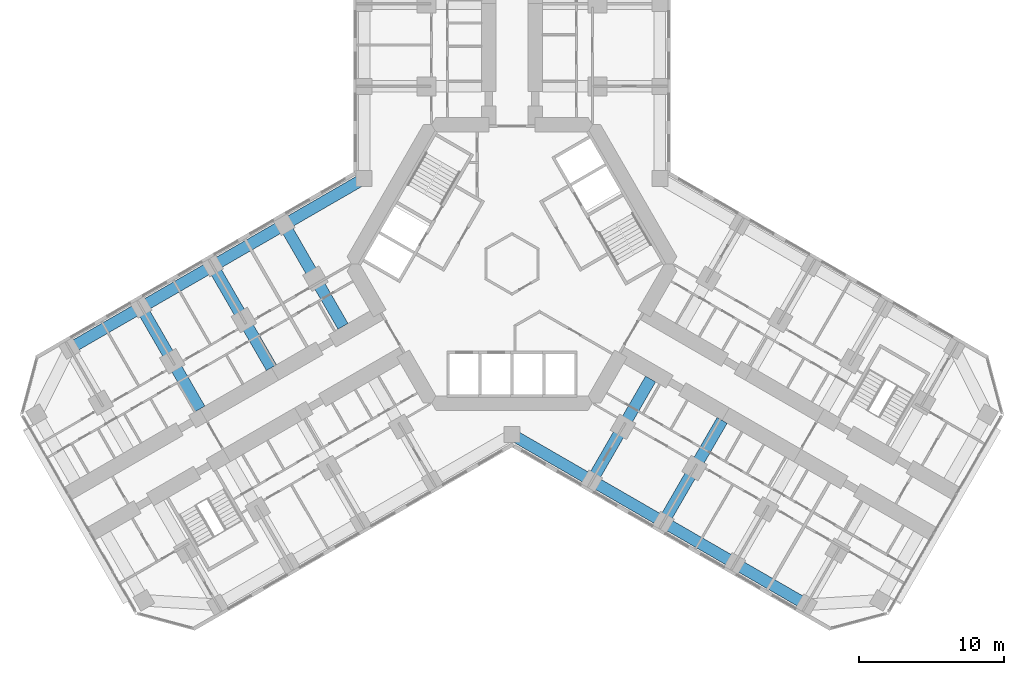
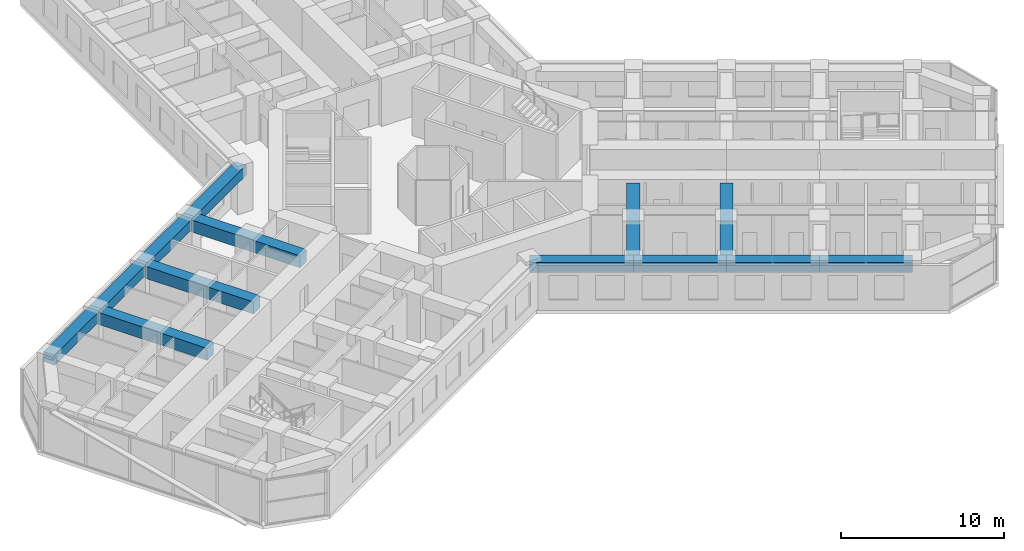
# One storey, part 4 of 21: 13 beams.
"""IFC4 building model written with IfcOpenShell, lengths in metres."""

from ifc_helpers import new_model, si_unit, direction, frame, origin, origin_2d, place, context, subcontext, project, spatial, rectangle, extrude, material, material_profile, profile_set, type_object, element, save


model = new_model("IFC4")

# Units and contexts
model_context = context("Model", 3, precision=1e-05, world=origin(), true_north=direction((0.0, 1.0)))
body_context = subcontext(model_context, "Body", "Model", "MODEL_VIEW")
ifc_project = project(units=[si_unit("LENGTHUNIT", "METRE"), si_unit("AREAUNIT", "SQUARE_METRE"), si_unit("VOLUMEUNIT", "CUBIC_METRE"), si_unit("PLANEANGLEUNIT", "RADIAN"), si_unit("MASSUNIT", "GRAM", prefix="KILO")], contexts=[model_context])

# Site, building, storey
site_placement = place(None, origin())
site = spatial("IfcSite", under=ifc_project, at=site_placement, CompositionType="ELEMENT")
building_placement = place(site_placement, origin())
building = spatial("IfcBuilding", under=site, at=building_placement, Name="Kosmar Iwan School Tower", CompositionType="ELEMENT")
storey_placement = place(building_placement, frame((0.0, 0.0, 43.0)))
storey = spatial("IfcBuildingStorey", under=building, at=storey_placement, Name="L09", CompositionType="ELEMENT", Elevation=43.0)

# Beams
ifc_material_1 = material(Name="Concrete C50/60", Category="concrete")
ifc_material_profile_1 = material_profile(ifc_material_1, rectangle(XDim=0.800048828125, YDim=0.75, at=origin_2d()), Name="RC 800x750")
ifc_profile_set_1 = profile_set([ifc_material_profile_1], Name="Concrete C50/60")
beam_type_1 = type_object("IfcBeamType", Name="RC edge beam 800x750", PredefinedType="BEAM", material=ifc_profile_set_1)
beam_1_placement = place(storey_placement, frame((-10.199951171875, 5.888916015625, 2.97509765625), z_axis=(-0.866030912664, -0.49999045822, 0.0), x_axis=(0.49999045822, -0.866030912664, 0.0)))
element("IfcBeam", 1, at=beam_1_placement, inside=storey, type_object=beam_type_1, Name="Edge beam BR1", PredefinedType="BEAM", context=body_context, shape_type="SweptSolid", body=[
    extrude(rectangle(XDim=0.800048828125, YDim=0.75, at=origin_2d()), origin(), (0.0, 0.0, 1.0), 6.36083984375),
])
beam_2_placement = place(storey_placement, frame((-15.708740234375, 2.70849609375, 2.97509765625), z_axis=(-0.866025820012, -0.499999279071, 0.0), x_axis=(0.499999279071, -0.866025820012, 0.0)))
element("IfcBeam", 2, at=beam_2_placement, inside=storey, type_object=beam_type_1, Name="Edge beam BR2", PredefinedType="BEAM", context=body_context, shape_type="SweptSolid", body=[
    extrude(rectangle(XDim=0.800048828125, YDim=0.75, at=origin_2d()), origin(), (0.0, 0.0, 1.0), 5.7001953125),
])
for number, where, z_axis, x_axis, name in (
    (3, (-20.645263671875, -0.1416015625, 2.97509765625), (-0.866033658841, -0.49998570155, 0.0), (0.49998570155, -0.866033658841, 0.0), "Edge beam BR3"),
    (4, (-25.58154296875, -2.991455078125, 2.97509765625), (-0.866015111908, -0.50001782563, 0.0), (0.50001782563, -0.866015111908, 0.0), "Edge beam BR4"),
):
    element("IfcBeam", number, at=place(storey_placement, frame(where, z_axis=z_axis, x_axis=x_axis)), inside=storey, type_object=beam_type_1, Name=name, PredefinedType="BEAM", context=body_context, shape_type="SweptSolid", body=[
        extrude(rectangle(XDim=0.800048828125, YDim=0.75, at=origin_2d()), origin(), (0.0, 0.0, 1.0), 5.699951171875),
    ])
beam_3_placement = place(storey_placement, frame((0.0, -11.77783203125, 2.97509765625), z_axis=(0.866014293216, -0.500019243575, 0.0), x_axis=(0.500019243575, 0.866014293216, 0.0)))
element("IfcBeam", 5, at=beam_3_placement, inside=storey, type_object=beam_type_1, Name="Edge beam CR1", PredefinedType="BEAM", context=body_context, shape_type="SweptSolid", body=[
    extrude(rectangle(XDim=0.800048828125, YDim=0.75, at=origin_2d()), origin(), (0.0, 0.0, 1.0), 6.361083984375),
])
beam_4_placement = place(storey_placement, frame((5.5087890625, -14.95849609375, 2.97509765625), z_axis=(0.866033658841, -0.49998570155, 0.0), x_axis=(0.49998570155, 0.866033658841, 0.0)))
element("IfcBeam", 6, at=beam_4_placement, inside=storey, type_object=beam_type_1, Name="Edge beam CR2", PredefinedType="BEAM", context=body_context, shape_type="SweptSolid", body=[
    extrude(rectangle(XDim=0.800048828125, YDim=0.75, at=origin_2d()), origin(), (0.0, 0.0, 1.0), 5.699951171875),
])
beam_5_placement = place(storey_placement, frame((10.445068359375, -17.808349609375, 2.97509765625), z_axis=(0.866025820012, -0.499999279071, 0.0), x_axis=(0.499999279071, 0.866025820012, 0.0)))
element("IfcBeam", 7, at=beam_5_placement, inside=storey, type_object=beam_type_1, Name="Edge beam CR3", PredefinedType="BEAM", context=body_context, shape_type="SweptSolid", body=[
    extrude(rectangle(XDim=0.800048828125, YDim=0.75, at=origin_2d()), origin(), (0.0, 0.0, 1.0), 5.7001953125),
])
beam_6_placement = place(storey_placement, frame((15.381591796875, -20.658447265625, 2.97509765625), z_axis=(0.866015111908, -0.50001782563, 0.0), x_axis=(0.50001782563, 0.866015111908, 0.0)))
element("IfcBeam", 8, at=beam_6_placement, inside=storey, type_object=beam_type_1, Name="Edge beam CR4", PredefinedType="BEAM", context=body_context, shape_type="SweptSolid", body=[
    extrude(rectangle(XDim=0.800048828125, YDim=0.75, at=origin_2d()), origin(), (0.0, 0.0, 1.0), 5.699951171875),
])
ifc_material_2 = material(Name="Concrete C50/60", Category="concrete")
ifc_material_profile_2 = material_profile(ifc_material_2, rectangle(XDim=0.800048828125, YDim=0.89990234375, at=origin_2d()), Name="RC 800x900")
ifc_profile_set_2 = profile_set([ifc_material_profile_2], Name="Concrete C50/60")
beam_type_2 = type_object("IfcBeamType", Name="RC transverse beam 800x900", PredefinedType="BEAM", material=ifc_profile_set_2)
beam_7_placement = place(storey_placement, frame((-15.708740234375, 2.70849609375, 2.89990234375), z_axis=(0.499999880539, -0.866025472755, 0.0), x_axis=(0.866025472755, 0.499999880539, 0.0)))
element("IfcBeam", 9, at=beam_7_placement, inside=storey, type_object=beam_type_2, Name="Transverse beam BR1", PredefinedType="BEAM", context=body_context, shape_type="SweptSolid", body=[
    extrude(rectangle(XDim=0.800048828125, YDim=0.89990234375, at=origin_2d()), origin(), (0.0, 0.0, 1.0), 8.10009765625),
])
beam_8_placement = place(storey_placement, frame((-20.645263671875, -0.1416015625, 2.89990234375), z_axis=(0.500012932018, -0.866017937352, 0.0), x_axis=(0.866017937352, 0.500012932018, 0.0)))
element("IfcBeam", 10, at=beam_8_placement, inside=storey, type_object=beam_type_2, Name="Transverse beam BR2", PredefinedType="BEAM", context=body_context, shape_type="SweptSolid", body=[
    extrude(rectangle(XDim=0.800048828125, YDim=0.89990234375, at=origin_2d()), origin(), (0.0, 0.0, 1.0), 8.099853515625),
])
for number, where, z_axis, x_axis, name in (
    (11, (-25.58154296875, -2.991455078125, 2.89990234375), (0.499999880539, -0.866025472755, 0.0), (0.866025472755, 0.499999880539, 0.0), "Transverse beam BR3"),
    (12, (5.5087890625, -14.95849609375, 2.89990234375), (0.499999880539, 0.866025472755, 0.0), (-0.866025472755, 0.499999880539, 0.0), "Transverse beam CR1"),
):
    element("IfcBeam", number, at=place(storey_placement, frame(where, z_axis=z_axis, x_axis=x_axis)), inside=storey, type_object=beam_type_2, Name=name, PredefinedType="BEAM", context=body_context, shape_type="SweptSolid", body=[
        extrude(rectangle(XDim=0.800048828125, YDim=0.89990234375, at=origin_2d()), origin(), (0.0, 0.0, 1.0), 8.10009765625),
    ])
beam_9_placement = place(storey_placement, frame((10.445068359375, -17.808349609375, 2.89990234375), z_axis=(0.500012932018, 0.866017937352, 0.0), x_axis=(-0.866017937352, 0.500012932018, 0.0)))
element("IfcBeam", 13, at=beam_9_placement, inside=storey, type_object=beam_type_2, Name="Transverse beam CR2", PredefinedType="BEAM", context=body_context, shape_type="SweptSolid", body=[
    extrude(rectangle(XDim=0.800048828125, YDim=0.89990234375, at=origin_2d()), origin(), (0.0, 0.0, 1.0), 8.099853515625),
])

save(model, "model.ifc")
